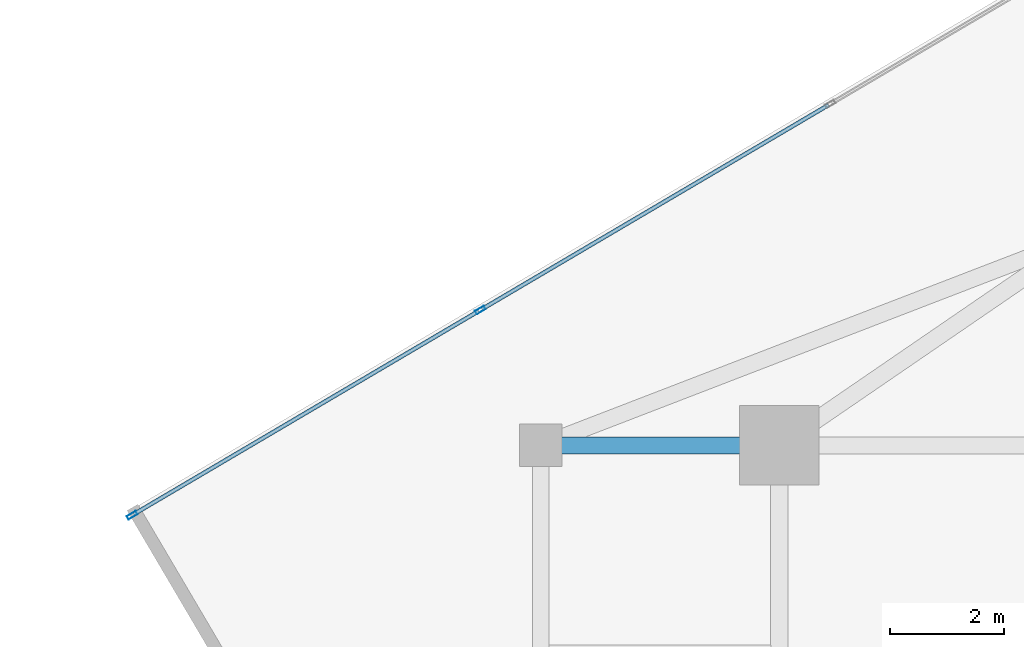
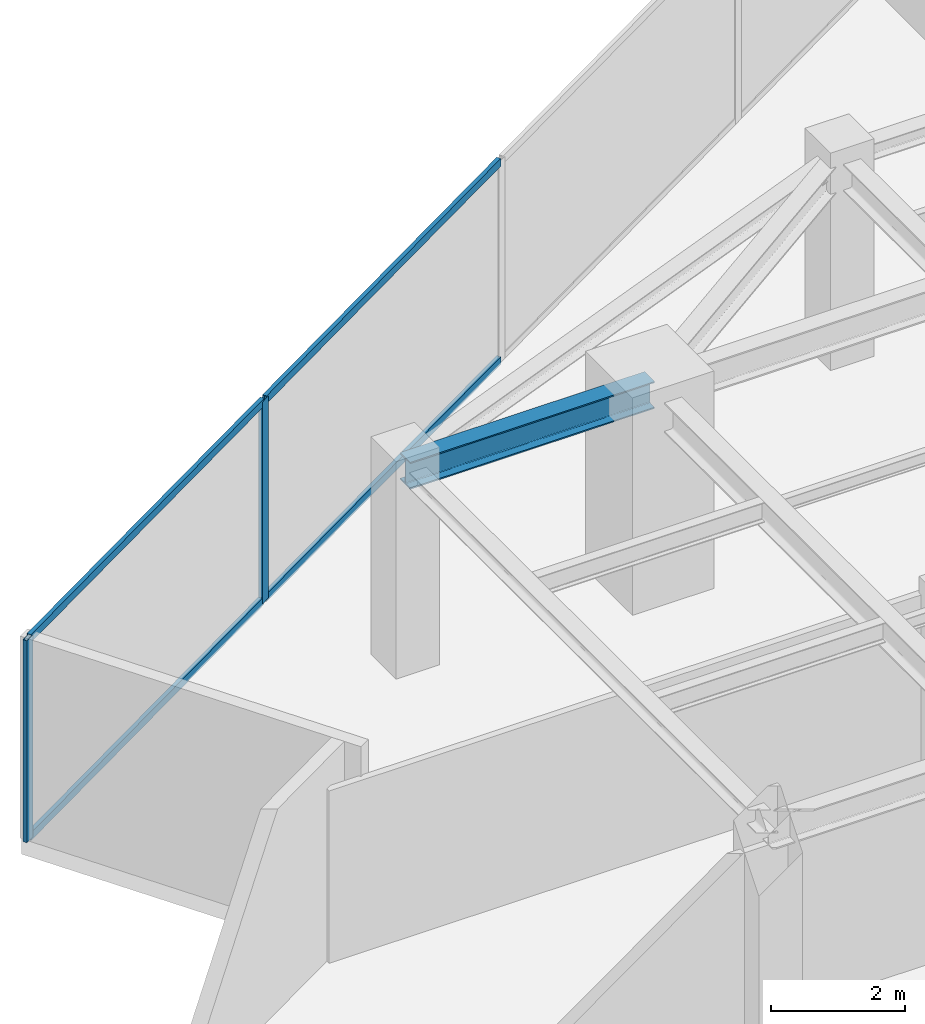
# One storey, part 11 of 20: 6 members, 1 beam, 1 element without a shape of its own.
"""IFC4 building model written with IfcOpenShell, lengths in metres."""

from ifc_helpers import new_model, si_unit, direction, frame, origin, origin_2d, place, context, subcontext, project, spatial, hollow_rectangle, i_section, extrude, source, transform, mapped, material, material_profile, profile_set, type_object, type_shapes, element, aggregate, save


model = new_model("IFC4")

# Units and contexts
model_context = context("Model", 3, precision=1e-05, world=origin(), true_north=direction((0.0, 1.0)))
body_context = subcontext(model_context, "Body", "Model", "MODEL_VIEW")
ifc_project = project(units=[si_unit("LENGTHUNIT", "METRE"), si_unit("AREAUNIT", "SQUARE_METRE"), si_unit("VOLUMEUNIT", "CUBIC_METRE"), si_unit("PLANEANGLEUNIT", "RADIAN"), si_unit("MASSUNIT", "GRAM", prefix="KILO")], contexts=[model_context])

# Site, building, storey
site_placement = place(None, origin())
site = spatial("IfcSite", under=ifc_project, at=site_placement, CompositionType="ELEMENT")
building_placement = place(site_placement, origin())
building = spatial("IfcBuilding", under=site, at=building_placement, Name="Krantzveldt Concourse Tower", CompositionType="ELEMENT")
storey_placement = place(building_placement, frame((0.0, 0.0, 295.050048828125)))
storey = spatial("IfcBuildingStorey", under=building, at=storey_placement, Name="L72", CompositionType="ELEMENT", Elevation=295.050048828125)

# Beam
ifc_material_1 = material(Name="Steel S355JR", Category="steel")
ifc_material_profile_1 = material_profile(ifc_material_1, i_section(OverallWidth=0.300048828125, OverallDepth=0.489990234375, WebThickness=0.011962890625, FlangeThickness=0.02294921875, FilletRadius=0.027099609375, at=origin_2d()), Name="Steel S355JR", Category="steel")
ifc_profile_set_1 = profile_set([ifc_material_profile_1], Name="Steel S355JR - HEA 500")
beam_type = type_object("IfcBeamType", Name="BM-B-HEA500", PredefinedType="BEAM", material=ifc_profile_set_1)
shared_shape_1 = source(origin(), body_context, "Body", "SweptSolid", [
    extrude(i_section(OverallWidth=0.300048828125, OverallDepth=0.489990234375, WebThickness=0.011962890625, FlangeThickness=0.02294921875, FilletRadius=0.027099609375, at=origin_2d()), origin(), (0.0, 0.0, 1.0), 4.199951171875),
])
type_shapes(beam_type, [shared_shape_1])
beam_placement = place(storey_placement, frame((21.0, 37.5, 3.425048828125), z_axis=(1.0, 0.0, 0.0), x_axis=(0.0, 1.0, 0.0)))
element("IfcBeam", 1, at=beam_placement, inside=storey, type_object=beam_type, Name="L72 Tower Girder BR-RL3", PredefinedType="BEAM", context=body_context, shape_type="MappedRepresentation", body=[
    mapped(shared_shape_1, transform((0.0, 0.0, 0.0), x_axis=(1.0, 0.0, 0.0), y_axis=(0.0, 1.0, 0.0), z_axis=(0.0, 0.0, 1.0), scale=1.0)),
])

# Curtain wall, members
ifc_material_2 = material(Name="Anodised aluminium 6063-T6", Category="aluminium")
curtain_wall_type = type_object("IfcCurtainWallType", Name="CW4", PredefinedType="USERDEFINED", material=ifc_material_2)
curtain_wall_placement = place(storey_placement, origin())
curtain_wall = element("IfcCurtainWall", 2, at=curtain_wall_placement, inside=storey, type_object=curtain_wall_type, Name="CW-L72-F01", ObjectType="UNITISED CURTAIN WALL", PredefinedType="USERDEFINED")
ifc_material_profile_2 = material_profile(ifc_material_2, hollow_rectangle(XDim=0.070068359375, YDim=0.179931640625, WallThickness=0.0048828125, at=origin_2d()), Name="Anodised aluminium 6063-T6", Category="aluminium")
ifc_profile_set_2 = profile_set([ifc_material_profile_2], Name="Anodised aluminium 6063-T6 - ALU-MULL 180x70x5")
member_type_1 = type_object("IfcMemberType", Name="CW-MUL-180", PredefinedType="MULLION", material=ifc_profile_set_2)
shared_shape_2 = source(origin(), body_context, "Body", "SweptSolid", [
    extrude(hollow_rectangle(XDim=0.070068359375, YDim=0.179931640625, WallThickness=0.0048828125, at=origin_2d()), origin(), (0.0, 0.0, 1.0), 3.669921875),
])
type_shapes(member_type_1, [shared_shape_2])
member_1_placement = place(storey_placement, frame((19.937255859375, 39.881591796875, 0.0), z_axis=(0.0, 0.0, 1.0), x_axis=(0.507538344223, -0.861629171479, 0.0)))
member_1 = element("IfcMember", 3, at=member_1_placement, type_object=member_type_1, Name="CW-Z56 mullion 4", PredefinedType="MULLION", context=body_context, shape_type="MappedRepresentation", body=[
    mapped(shared_shape_2, transform((0.0, 0.0, 0.0), x_axis=(1.0, 0.0, 0.0), y_axis=(0.0, 1.0, 0.0), z_axis=(0.0, 0.0, 1.0), scale=1.0)),
])
member_2_placement = place(storey_placement, frame((13.806884765625, 36.270263671875, 0.0), z_axis=(0.0, 0.0, 1.0), x_axis=(0.507538344223, -0.861629171479, 0.0)))
member_2 = element("IfcMember", 4, at=member_2_placement, type_object=member_type_1, Name="CW-Z56 mullion 5", PredefinedType="MULLION", context=body_context, shape_type="MappedRepresentation", body=[
    mapped(shared_shape_2, transform((0.0, 0.0, 0.0), x_axis=(1.0, 0.0, 0.0), y_axis=(0.0, 1.0, 0.0), z_axis=(0.0, 0.0, 1.0), scale=1.0)),
])
ifc_material_profile_3 = material_profile(ifc_material_2, hollow_rectangle(XDim=0.070068359375, YDim=0.139892578125, WallThickness=0.0048828125, at=origin_2d()), Name="Anodised aluminium 6063-T6", Category="aluminium")
ifc_profile_set_3 = profile_set([ifc_material_profile_3], Name="Anodised aluminium 6063-T6 - ALU-TRAN 140x70x5")
member_type_2 = type_object("IfcMemberType", Name="CW-TRN-150", PredefinedType="USERDEFINED", material=ifc_profile_set_3)
shared_shape_3 = source(origin(), body_context, "Body", "SweptSolid", [
    extrude(hollow_rectangle(XDim=0.070068359375, YDim=0.139892578125, WallThickness=0.0048828125, at=origin_2d()), origin(), (0.0, 0.0, 1.0), 7.080078125),
])
member_3_placement = place(storey_placement, frame((26.06787109375, 43.49267578125, 0.034912109375), z_axis=(-0.861621135321, -0.507551986665, 0.0), x_axis=(0.507551986665, -0.861621135321, 0.0)))
member_3 = element("IfcMember", 5, at=member_3_placement, type_object=member_type_2, Name="CW-Z56 transom 3.1", ObjectType="TRANSOM", PredefinedType="USERDEFINED", context=body_context, shape_type="MappedRepresentation", body=[
    mapped(shared_shape_3, transform((0.0, 0.0, 0.0), x_axis=(1.0, 0.0, 0.0), y_axis=(0.0, 1.0, 0.0), z_axis=(0.0, 0.0, 1.0), scale=1.0)),
])
member_4_placement = place(storey_placement, frame((26.06787109375, 43.49267578125, 3.635009765625), z_axis=(-0.861621135321, -0.507551986665, 0.0), x_axis=(0.507551986665, -0.861621135321, 0.0)))
member_4 = element("IfcMember", 6, at=member_4_placement, type_object=member_type_2, Name="CW-Z56 transom 3.2", ObjectType="TRANSOM", PredefinedType="USERDEFINED", context=body_context, shape_type="MappedRepresentation", body=[
    mapped(shared_shape_3, transform((0.0, 0.0, 0.0), x_axis=(1.0, 0.0, 0.0), y_axis=(0.0, 1.0, 0.0), z_axis=(0.0, 0.0, 1.0), scale=1.0)),
])
shared_shape_4 = source(origin(), body_context, "Body", "SweptSolid", [
    extrude(hollow_rectangle(XDim=0.070068359375, YDim=0.139892578125, WallThickness=0.0048828125, at=origin_2d()), origin(), (0.0, 0.0, 1.0), 7.045166015625),
])
type_shapes(member_type_2, [shared_shape_3, shared_shape_4])
member_5_placement = place(storey_placement, frame((19.9072265625, 39.86376953125, 0.034912109375), z_axis=(-0.861629392126, -0.507537969638, 0.0), x_axis=(0.507537969638, -0.861629392126, 0.0)))
member_5 = element("IfcMember", 7, at=member_5_placement, type_object=member_type_2, Name="CW-Z56 transom 4.1", ObjectType="TRANSOM", PredefinedType="USERDEFINED", context=body_context, shape_type="MappedRepresentation", body=[
    mapped(shared_shape_4, transform((0.0, 0.0, 0.0), x_axis=(1.0, 0.0, 0.0), y_axis=(0.0, 1.0, 0.0), z_axis=(0.0, 0.0, 1.0), scale=1.0)),
])
member_6_placement = place(storey_placement, frame((19.9072265625, 39.86376953125, 3.635009765625), z_axis=(-0.861629392126, -0.507537969638, 0.0), x_axis=(0.507537969638, -0.861629392126, 0.0)))
member_6 = element("IfcMember", 8, at=member_6_placement, type_object=member_type_2, Name="CW-Z56 transom 4.2", ObjectType="TRANSOM", PredefinedType="USERDEFINED", context=body_context, shape_type="MappedRepresentation", body=[
    mapped(shared_shape_4, transform((0.0, 0.0, 0.0), x_axis=(1.0, 0.0, 0.0), y_axis=(0.0, 1.0, 0.0), z_axis=(0.0, 0.0, 1.0), scale=1.0)),
])
aggregate(curtain_wall, [member_1, member_2, member_3, member_4, member_5, member_6])

save(model, "model.ifc")
